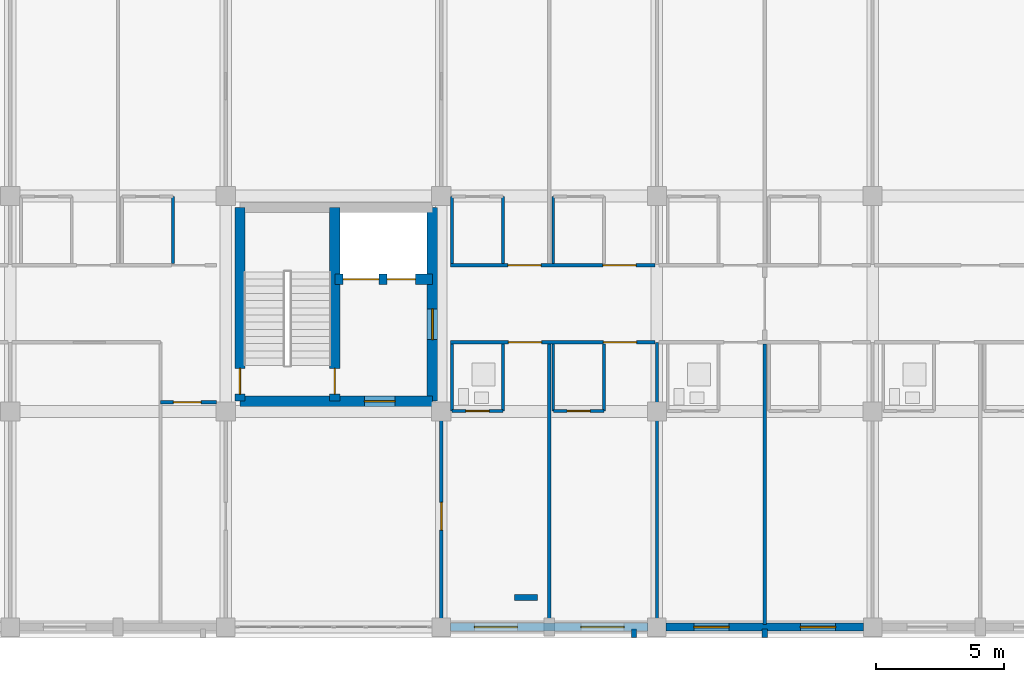
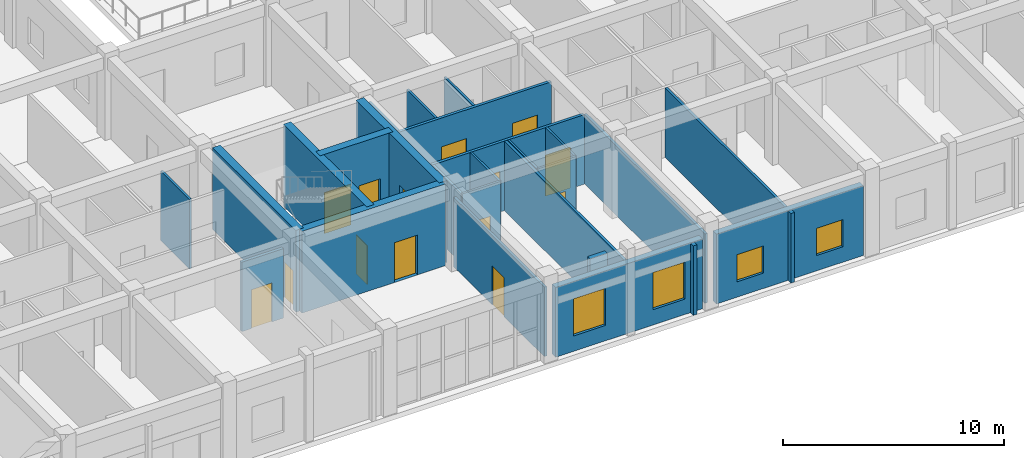
# One storey, part 116 of 158: 27 walls, 14 doors, 4 windows, 18 openings.
"""IFC4 building model written with IfcOpenShell, lengths in metres."""

from ifc_helpers import new_model, si_unit, direction, frame, frame_2d, origin, place, context, subcontext, project, spatial, rectangle, extrude, material, layer, layer_set, type_object, element, fill, save


model = new_model("IFC4")

# Units and contexts
model_context = context("Model", 3, precision=1e-05, world=origin(), true_north=direction((0.0, 1.0)))
body_context = subcontext(model_context, "Body", "Model", "MODEL_VIEW")
ifc_project = project(units=[si_unit("LENGTHUNIT", "METRE"), si_unit("AREAUNIT", "SQUARE_METRE"), si_unit("VOLUMEUNIT", "CUBIC_METRE"), si_unit("PLANEANGLEUNIT", "RADIAN"), si_unit("MASSUNIT", "GRAM", prefix="KILO")], contexts=[model_context])

# Site, building, storey
site_placement = place(None, origin())
site = spatial("IfcSite", under=ifc_project, at=site_placement, CompositionType="ELEMENT")
building_placement = place(site_placement, origin())
building = spatial("IfcBuilding", under=site, at=building_placement, Name="Trelvath General Hospital", CompositionType="ELEMENT")
storey_placement = place(building_placement, frame((0.0, 0.0, 8.10009765625)))
storey = spatial("IfcBuildingStorey", under=building, at=storey_placement, Name="L02", CompositionType="ELEMENT", Elevation=8.10009765625)

# Walls
ifc_material_1 = material(Name="Precast concrete C40/50", Category="concrete")
ifc_layer_1 = layer(ifc_material_1, 0.199951171875)
ifc_layer_set_1 = layer_set([ifc_layer_1], Name="Precast concrete C40/50")
wall_type_1 = type_object("IfcWallType", Name="BriseSoleilRib 200", PredefinedType="ELEMENTEDWALL", material=ifc_layer_set_1)
for number, where, z_axis, x_axis, name in (
    (1, (57.90673828125, -0.074951171875, 0.0), (0.0, 0.0, 1.0), (0.0, -1.0, 0.0), "Precast Concrete Brise-Soleil Rib Fin L02-187"),
    (2, (63.0, -0.074951171875, 0.0), (0.0, 0.0, 1.0), (0.0, -1.0, 0.0), "Precast Concrete Brise-Soleil Rib Fin L02-191"),
):
    element("IfcWall", number, at=place(storey_placement, frame(where, z_axis=z_axis, x_axis=x_axis)), inside=storey, type_object=wall_type_1, Name=name, PredefinedType="ELEMENTEDWALL", context=body_context, shape_type="SweptSolid", body=[
        extrude(rectangle(XDim=0.340087890625, YDim=0.199951171875, at=frame_2d((0.169921875, 0.0))), origin(), (0.0, 0.0, 1.0), 3.83984375),
    ])

# Wall, opening, door
ifc_material_2 = material(Name="Gypsum acoustic steel-stud partition", Category="steel")
ifc_layer_2 = layer(ifc_material_2, 0.14990234375)
ifc_layer_set_2 = layer_set([ifc_layer_2], Name="Gypsum acoustic steel-stud partition")
wall_type_2 = type_object("IfcWallType", Name="ClinicalPartition 150", PredefinedType="PARTITIONING", material=ifc_layer_set_2)
wall_1_placement = place(storey_placement, frame((39.4599609375, 8.760009765625, 0.0), z_axis=(0.0, 0.0, 1.0), x_axis=(1.0, 0.0, 0.0)))
wall_1 = element("IfcWall", 3, at=wall_1_placement, inside=storey, type_object=wall_type_2, Name="Clean Utility Partition L02-706", PredefinedType="PARTITIONING", context=body_context, shape_type="SweptSolid", body=[
    extrude(rectangle(XDim=2.179931640625, YDim=0.14990234375, at=frame_2d((1.08984375, 0.0))), origin(), (0.0, 0.0, 1.0), 3.83984375),
])
opening_1_placement = place(wall_1_placement, frame((0.5, 0.0, 0.0)))
opening_1 = element("IfcOpeningElement", 4, at=opening_1_placement, cuts=wall_1, Name="Opening D-2-0640", PredefinedType="OPENING", context=body_context, shape_type="SweptSolid", body=[
    extrude(rectangle(XDim=1.080078125, YDim=2.14990234375, at=frame_2d((0.5400390625, 1.074951171875))), frame((0.0, 0.0849609375, 0.0), z_axis=(0.0, -1.0, 0.0), x_axis=(1.0, 0.0, 0.0)), (0.0, 0.0, 1.0), 0.169921875),
])
ifc_material_3 = material(Name="Acoustic hospital timber leaf", Category="wood")
door_type_1 = type_object("IfcDoorType", Name="Door CleanSupply 1080x2150", OperationType="NOTDEFINED", PredefinedType="DOOR", material=ifc_material_3)
door_1_placement = place(opening_1_placement, origin())
door_1 = element("IfcDoor", 5, at=door_1_placement, inside=storey, type_object=door_type_1, Name="Clean Utility Door L02-640", OperationType="SINGLE_SWING_RIGHT", OverallHeight=2.14990234375, OverallWidth=1.080078125, PredefinedType="DOOR", context=body_context, shape_type="SweptSolid", body=[
    extrude(rectangle(XDim=1.080078125, YDim=2.14990234375, at=frame_2d((0.5400390625, 1.074951171875))), frame((0.0, 0.02490234375, 0.0), z_axis=(0.0, -1.0, 0.0), x_axis=(1.0, 0.0, 0.0)), (0.0, 0.0, 1.0), 0.050048828125),
])
fill(opening_1, door_1)

# Wall, openings, doors
wall_2_placement = place(storey_placement, frame((50.760009765625, 11.10009765625, 0.0), z_axis=(0.0, 0.0, 1.0), x_axis=(1.0, 0.0, 0.0)))
wall_2 = element("IfcWall", 6, at=wall_2_placement, inside=storey, type_object=wall_type_2, Name="Corridor Partition L02-719", PredefinedType="PARTITIONING", context=body_context, shape_type="SweptSolid", body=[
    extrude(rectangle(XDim=7.9599609375, YDim=0.14990234375, at=frame_2d((3.97998046875, 0.0))), origin(), (0.0, 0.0, 1.0), 3.83984375),
])
opening_2_placement = place(wall_2_placement, frame((2.25, 0.0, 0.0)))
opening_2 = element("IfcOpeningElement", 7, at=opening_2_placement, cuts=wall_2, Name="Opening D-2-0649", PredefinedType="OPENING", context=body_context, shape_type="SweptSolid", body=[
    extrude(rectangle(XDim=1.300048828125, YDim=2.25, at=frame_2d((0.64990234375, 1.125))), frame((0.0, 0.0849609375, 0.0), z_axis=(0.0, -1.0, 0.0), x_axis=(1.0, 0.0, 0.0)), (0.0, 0.0, 1.0), 0.169921875),
])
opening_3_placement = place(wall_2_placement, frame((5.949951171875, 0.0, 0.0)))
opening_3 = element("IfcOpeningElement", 8, at=opening_3_placement, cuts=wall_2, Name="Opening D-2-0650", PredefinedType="OPENING", context=body_context, shape_type="SweptSolid", body=[
    extrude(rectangle(XDim=1.300048828125, YDim=2.25, at=frame_2d((0.64990234375, 1.125))), frame((0.0, 0.0849609375, 0.0), z_axis=(0.0, -1.0, 0.0), x_axis=(1.0, 0.0, 0.0)), (0.0, 0.0, 1.0), 0.169921875),
])
ifc_material_4 = material(Name="Hospital bed-leaf timber door", Category="wood")
door_type_2 = type_object("IfcDoorType", Name="Door PatientBed 1300x2250", OperationType="NOTDEFINED", PredefinedType="DOOR", material=ifc_material_4)
door_2_placement = place(opening_2_placement, origin())
door_2 = element("IfcDoor", 9, at=door_2_placement, inside=storey, type_object=door_type_2, Name="Patient Room Door L02-649", OperationType="SINGLE_SWING_RIGHT", OverallHeight=2.25, OverallWidth=1.300048828125, PredefinedType="DOOR", context=body_context, shape_type="SweptSolid", body=[
    extrude(rectangle(XDim=1.300048828125, YDim=2.25, at=frame_2d((0.64990234375, 1.125))), frame((0.0, 0.02490234375, 0.0), z_axis=(0.0, -1.0, 0.0), x_axis=(1.0, 0.0, 0.0)), (0.0, 0.0, 1.0), 0.050048828125),
])
fill(opening_2, door_2)
door_3_placement = place(opening_3_placement, origin())
door_3 = element("IfcDoor", 10, at=door_3_placement, inside=storey, type_object=door_type_2, Name="Patient Room Door L02-650", OperationType="SINGLE_SWING_LEFT", OverallHeight=2.25, OverallWidth=1.300048828125, PredefinedType="DOOR", context=body_context, shape_type="SweptSolid", body=[
    extrude(rectangle(XDim=1.300048828125, YDim=2.25, at=frame_2d((0.64990234375, 1.125))), frame((0.0, 0.02490234375, 0.0), z_axis=(0.0, -1.0, 0.0), x_axis=(1.0, 0.0, 0.0)), (0.0, 0.0, 1.0), 0.050048828125),
])
fill(opening_3, door_3)

wall_3_placement = place(storey_placement, frame((58.719970703125, 14.10009765625, 0.0), z_axis=(0.0, 0.0, 1.0), x_axis=(-1.0, 0.0, 0.0)))
wall_3 = element("IfcWall", 11, at=wall_3_placement, inside=storey, type_object=wall_type_2, Name="Corridor Partition N L02-728", PredefinedType="PARTITIONING", context=body_context, shape_type="SweptSolid", body=[
    extrude(rectangle(XDim=7.9599609375, YDim=0.14990234375, at=frame_2d((3.97998046875, 0.0))), origin(), (0.0, 0.0, 1.0), 3.83984375),
])
opening_4_placement = place(wall_3_placement, frame((0.72998046875, 0.0, 0.0)))
opening_4 = element("IfcOpeningElement", 12, at=opening_4_placement, cuts=wall_3, Name="Opening D-2-0653", PredefinedType="OPENING", context=body_context, shape_type="SweptSolid", body=[
    extrude(rectangle(XDim=1.300048828125, YDim=2.25, at=frame_2d((0.64990234375, 1.125))), frame((0.0, 0.0849609375, 0.0), z_axis=(0.0, -1.0, 0.0), x_axis=(1.0, 0.0, 0.0)), (0.0, 0.0, 1.0), 0.169921875),
])
opening_5_placement = place(wall_3_placement, frame((4.429931640625, 0.0, 0.0)))
opening_5 = element("IfcOpeningElement", 13, at=opening_5_placement, cuts=wall_3, Name="Opening D-2-0654", PredefinedType="OPENING", context=body_context, shape_type="SweptSolid", body=[
    extrude(rectangle(XDim=1.300048828125, YDim=2.25, at=frame_2d((0.64990234375, 1.125))), frame((0.0, 0.0849609375, 0.0), z_axis=(0.0, -1.0, 0.0), x_axis=(1.0, 0.0, 0.0)), (0.0, 0.0, 1.0), 0.169921875),
])
door_4_placement = place(opening_4_placement, origin())
door_4 = element("IfcDoor", 14, at=door_4_placement, inside=storey, type_object=door_type_2, Name="Patient Room Door N L02-653", OperationType="SINGLE_SWING_RIGHT", OverallHeight=2.25, OverallWidth=1.300048828125, PredefinedType="DOOR", context=body_context, shape_type="SweptSolid", body=[
    extrude(rectangle(XDim=1.300048828125, YDim=2.25, at=frame_2d((0.64990234375, 1.125))), frame((0.0, 0.02490234375, 0.0), z_axis=(0.0, -1.0, 0.0), x_axis=(1.0, 0.0, 0.0)), (0.0, 0.0, 1.0), 0.050048828125),
])
fill(opening_4, door_4)
door_5_placement = place(opening_5_placement, origin())
door_5 = element("IfcDoor", 15, at=door_5_placement, inside=storey, type_object=door_type_2, Name="Patient Room Door N L02-654", OperationType="SINGLE_SWING_RIGHT", OverallHeight=2.25, OverallWidth=1.300048828125, PredefinedType="DOOR", context=body_context, shape_type="SweptSolid", body=[
    extrude(rectangle(XDim=1.300048828125, YDim=2.25, at=frame_2d((0.64990234375, 1.125))), frame((0.0, 0.02490234375, 0.0), z_axis=(0.0, -1.0, 0.0), x_axis=(1.0, 0.0, 0.0)), (0.0, 0.0, 1.0), 0.050048828125),
])
fill(opening_5, door_5)

# Wall, opening, door
ifc_material_5 = material(Name="Concrete C40/50", Category="concrete")
ifc_layer_3 = layer(ifc_material_5, 0.39990234375)
ifc_layer_set_3 = layer_set([ifc_layer_3], Name="Concrete C40/50")
wall_type_3 = type_object("IfcWallType", Name="CoreShearWall 400", PredefinedType="SHEAR", material=ifc_layer_set_3)
wall_4_placement = place(storey_placement, frame((42.550048828125, 8.800048828125, 0.0), z_axis=(0.0, 0.0, 1.0), x_axis=(1.0, 0.0, 0.0)))
wall_4 = element("IfcWall", 16, at=wall_4_placement, inside=storey, type_object=wall_type_3, Name="Core Shear Wall C4 S L02", PredefinedType="SHEAR", context=body_context, shape_type="SweptSolid", body=[
    extrude(rectangle(XDim=7.5, YDim=0.39990234375, at=frame_2d((3.75, 0.0))), origin(), (0.0, 0.0, 1.0), 4.52001953125),
])
opening_6_placement = place(wall_4_placement, frame((4.85009765625, 0.0, 0.0)))
opening_6 = element("IfcOpeningElement", 17, at=opening_6_placement, cuts=wall_4, Name="Opening FD-LS42", PredefinedType="OPENING", context=body_context, shape_type="SweptSolid", body=[
    extrude(rectangle(XDim=1.199951171875, YDim=2.199951171875, at=frame_2d((0.60009765625, 1.10009765625))), frame((0.0, 0.2099609375, 0.0), z_axis=(0.0, -1.0, 0.0), x_axis=(1.0, 0.0, 0.0)), (0.0, 0.0, 1.0), 0.419921875),
])
ifc_material_6 = material(Name="Fire-rated steel door", Category="steel")
door_type_3 = type_object("IfcDoorType", Name="Door FireLobby 1200x2200", OperationType="NOTDEFINED", PredefinedType="DOOR", material=ifc_material_6)
door_6_placement = place(opening_6_placement, origin())
door_6 = element("IfcDoor", 18, at=door_6_placement, inside=storey, type_object=door_type_3, Name="Fire Lobby South Door C4 L02", OperationType="SINGLE_SWING_LEFT", OverallHeight=2.199951171875, OverallWidth=1.199951171875, PredefinedType="DOOR", context=body_context, shape_type="SweptSolid", body=[
    extrude(rectangle(XDim=1.199951171875, YDim=2.199951171875, at=frame_2d((0.60009765625, 1.10009765625))), frame((0.0, 0.02490234375, 0.0), z_axis=(0.0, -1.0, 0.0), x_axis=(1.0, 0.0, 0.0)), (0.0, 0.0, 1.0), 0.050048828125),
])
fill(opening_6, door_6)

wall_5_placement = place(storey_placement, frame((42.550048828125, 8.800048828125, 0.0), z_axis=(0.0, 0.0, 1.0), x_axis=(0.0, 1.0, 0.0)))
wall_5 = element("IfcWall", 19, at=wall_5_placement, inside=storey, type_object=wall_type_3, Name="Core Shear Wall C4 W L02", PredefinedType="SHEAR", context=body_context, shape_type="SweptSolid", body=[
    extrude(rectangle(XDim=7.550048828125, YDim=0.39990234375, at=frame_2d((3.77490234375, 0.0))), origin(), (0.0, 0.0, 1.0), 4.52001953125),
])
opening_7_placement = place(wall_5_placement, frame((0.280029296875, 0.0, 0.0)))
opening_7 = element("IfcOpeningElement", 20, at=opening_7_placement, cuts=wall_5, Name="Opening FD-SW42", PredefinedType="OPENING", context=body_context, shape_type="SweptSolid", body=[
    extrude(rectangle(XDim=1.0, YDim=2.14990234375, at=frame_2d((0.5, 1.074951171875))), frame((0.0, 0.2099609375, 0.0), z_axis=(0.0, -1.0, 0.0), x_axis=(1.0, 0.0, 0.0)), (0.0, 0.0, 1.0), 0.419921875),
])
ifc_material_7 = material(Name="Fire-rated steel door", Category="steel")
door_type_4 = type_object("IfcDoorType", Name="Door FireStair 1100x2150", OperationType="NOTDEFINED", PredefinedType="DOOR", material=ifc_material_7)
door_7_placement = place(opening_7_placement, origin())
door_7 = element("IfcDoor", 21, at=door_7_placement, inside=storey, type_object=door_type_4, Name="West Corridor Stair Door ST4 L02", OperationType="SINGLE_SWING_RIGHT", OverallHeight=2.14990234375, OverallWidth=1.0, PredefinedType="DOOR", context=body_context, shape_type="SweptSolid", body=[
    extrude(rectangle(XDim=1.0, YDim=2.14990234375, at=frame_2d((0.5, 1.074951171875))), frame((0.0, 0.02490234375, 0.0), z_axis=(0.0, -1.0, 0.0), x_axis=(1.0, 0.0, 0.0)), (0.0, 0.0, 1.0), 0.050048828125),
])
fill(opening_7, door_7)

wall_6_placement = place(storey_placement, frame((50.050048828125, 8.800048828125, 0.0), z_axis=(0.0, 0.0, 1.0), x_axis=(0.0, 1.0, 0.0)))
wall_6 = element("IfcWall", 22, at=wall_6_placement, inside=storey, type_object=wall_type_3, Name="Core Shear Wall C4 E L02", PredefinedType="SHEAR", context=body_context, shape_type="SweptSolid", body=[
    extrude(rectangle(XDim=7.550048828125, YDim=0.39990234375, at=frame_2d((3.77490234375, 0.0))), origin(), (0.0, 0.0, 1.0), 4.52001953125),
])
opening_8_placement = place(wall_6_placement, frame((2.39990234375, 0.0, 0.0)))
opening_8 = element("IfcOpeningElement", 23, at=opening_8_placement, cuts=wall_6, Name="Opening FD-LE42", PredefinedType="OPENING", context=body_context, shape_type="SweptSolid", body=[
    extrude(rectangle(XDim=1.199951171875, YDim=2.199951171875, at=frame_2d((0.60009765625, 1.10009765625))), frame((0.0, 0.2099609375, 0.0), z_axis=(0.0, -1.0, 0.0), x_axis=(1.0, 0.0, 0.0)), (0.0, 0.0, 1.0), 0.419921875),
])
door_8_placement = place(opening_8_placement, origin())
door_8 = element("IfcDoor", 24, at=door_8_placement, inside=storey, type_object=door_type_3, Name="Fire Lobby East Corridor Door C4 L02", OperationType="SINGLE_SWING_RIGHT", OverallHeight=2.199951171875, OverallWidth=1.199951171875, PredefinedType="DOOR", context=body_context, shape_type="SweptSolid", body=[
    extrude(rectangle(XDim=1.199951171875, YDim=2.199951171875, at=frame_2d((0.60009765625, 1.10009765625))), frame((0.0, 0.02490234375, 0.0), z_axis=(0.0, -1.0, 0.0), x_axis=(1.0, 0.0, 0.0)), (0.0, 0.0, 1.0), 0.050048828125),
])
fill(opening_8, door_8)

wall_7_placement = place(storey_placement, frame((46.25, 8.800048828125, 0.0), z_axis=(0.0, 0.0, 1.0), x_axis=(0.0, 1.0, 0.0)))
wall_7 = element("IfcWall", 25, at=wall_7_placement, inside=storey, type_object=wall_type_3, Name="Core Shear Wall C4 SPINE L02", PredefinedType="SHEAR", context=body_context, shape_type="SweptSolid", body=[
    extrude(rectangle(XDim=7.550048828125, YDim=0.39990234375, at=frame_2d((3.77490234375, 0.0))), origin(), (0.0, 0.0, 1.0), 4.52001953125),
])
opening_9_placement = place(wall_7_placement, frame((0.280029296875, 0.0, 0.0)))
opening_9 = element("IfcOpeningElement", 26, at=opening_9_placement, cuts=wall_7, Name="Opening FD-S42", PredefinedType="OPENING", context=body_context, shape_type="SweptSolid", body=[
    extrude(rectangle(XDim=1.0, YDim=2.14990234375, at=frame_2d((0.5, 1.074951171875))), frame((0.0, 0.2099609375, 0.0), z_axis=(0.0, -1.0, 0.0), x_axis=(1.0, 0.0, 0.0)), (0.0, 0.0, 1.0), 0.419921875),
])
door_9_placement = place(opening_9_placement, origin())
door_9 = element("IfcDoor", 27, at=door_9_placement, inside=storey, type_object=door_type_4, Name="Exit Stair Door ST4 L02", OperationType="SINGLE_SWING_LEFT", OverallHeight=2.14990234375, OverallWidth=1.0, PredefinedType="DOOR", context=body_context, shape_type="SweptSolid", body=[
    extrude(rectangle(XDim=1.0, YDim=2.14990234375, at=frame_2d((0.5, 1.074951171875))), frame((0.0, 0.02490234375, 0.0), z_axis=(0.0, -1.0, 0.0), x_axis=(1.0, 0.0, 0.0)), (0.0, 0.0, 1.0), 0.050048828125),
])
fill(opening_9, door_9)

# Wall, openings, doors
wall_8_placement = place(storey_placement, frame((46.25, 13.550048828125, 0.0), z_axis=(0.0, 0.0, 1.0), x_axis=(1.0, 0.0, 0.0)))
wall_8 = element("IfcWall", 28, at=wall_8_placement, inside=storey, type_object=wall_type_3, Name="Core Shear Wall C4 SHAFT L02", PredefinedType="SHEAR", context=body_context, shape_type="SweptSolid", body=[
    extrude(rectangle(XDim=3.800048828125, YDim=0.39990234375, at=frame_2d((1.89990234375, 0.0))), origin(), (0.0, 0.0, 1.0), 4.52001953125),
])
opening_10_placement = place(wall_8_placement, frame((0.320068359375, 0.0, 0.0)))
opening_10 = element("IfcOpeningElement", 29, at=opening_10_placement, cuts=wall_8, Name="Opening LD-BD3-2", PredefinedType="OPENING", context=body_context, shape_type="SweptSolid", body=[
    extrude(rectangle(XDim=1.39990234375, YDim=2.25, at=frame_2d((0.699951171875, 1.125))), frame((0.0, 0.2099609375, 0.0), z_axis=(0.0, -1.0, 0.0), x_axis=(1.0, 0.0, 0.0)), (0.0, 0.0, 1.0), 0.419921875),
])
opening_11_placement = place(wall_8_placement, frame((2.0400390625, 0.0, 0.0)))
opening_11 = element("IfcOpeningElement", 30, at=opening_11_placement, cuts=wall_8, Name="Opening LD-PA1-2", PredefinedType="OPENING", context=body_context, shape_type="SweptSolid", body=[
    extrude(rectangle(XDim=1.10009765625, YDim=2.14990234375, at=frame_2d((0.550048828125, 1.074951171875))), frame((0.0, 0.2099609375, 0.0), z_axis=(0.0, -1.0, 0.0), x_axis=(1.0, 0.0, 0.0)), (0.0, 0.0, 1.0), 0.419921875),
])
ifc_material_8 = material(Name="Stainless steel stretcher lift landing door", Category="steel")
door_type_5 = type_object("IfcDoorType", Name="Door LiftBed 1400x2250", OperationType="SLIDING_TO_LEFT", PredefinedType="DOOR", material=ifc_material_8)
door_10_placement = place(opening_10_placement, origin())
door_10 = element("IfcDoor", 31, at=door_10_placement, inside=storey, type_object=door_type_5, Name="Lift Landing Sliding Door LF-BD3 L02", OperationType="SLIDING_TO_LEFT", OverallHeight=2.25, OverallWidth=1.39990234375, PredefinedType="DOOR", context=body_context, shape_type="SweptSolid", body=[
    extrude(rectangle(XDim=1.39990234375, YDim=2.25, at=frame_2d((0.699951171875, 1.125))), frame((0.0, 0.02490234375, 0.0), z_axis=(0.0, -1.0, 0.0), x_axis=(1.0, 0.0, 0.0)), (0.0, 0.0, 1.0), 0.050048828125),
])
fill(opening_10, door_10)
ifc_material_9 = material(Name="Stainless steel lift landing sliding door", Category="steel")
door_type_6 = type_object("IfcDoorType", Name="Door LiftLanding 1100x2150", OperationType="SLIDING_TO_LEFT", PredefinedType="DOOR", material=ifc_material_9)
door_11_placement = place(opening_11_placement, origin())
door_11 = element("IfcDoor", 32, at=door_11_placement, inside=storey, type_object=door_type_6, Name="Lift Landing Sliding Door LF-PA1 L02", OperationType="SLIDING_TO_LEFT", OverallHeight=2.14990234375, OverallWidth=1.10009765625, PredefinedType="DOOR", context=body_context, shape_type="SweptSolid", body=[
    extrude(rectangle(XDim=1.10009765625, YDim=2.14990234375, at=frame_2d((0.550048828125, 1.074951171875))), frame((0.0, 0.02490234375, 0.0), z_axis=(0.0, -1.0, 0.0), x_axis=(1.0, 0.0, 0.0)), (0.0, 0.0, 1.0), 0.050048828125),
])
fill(opening_11, door_11)

# Walls
ifc_material_10 = material(Name="Moisture-resistant tile partition")
ifc_layer_4 = layer(ifc_material_10, 0.110107421875)
ifc_layer_set_4 = layer_set([ifc_layer_4], Name="Moisture-resistant tile partition")
wall_type_4 = type_object("IfcWallType", Name="EnSuiteWetWall 110", PredefinedType="PARTITIONING", material=ifc_layer_set_4)
for number, where, z_axis, x_axis, name in (
    (33, (39.93994140625, 14.169921875, 0.0), (0.0, 0.0, 1.0), (0.0, 1.0, 0.0), "En-Suite E Wall N L02-713"),
    (34, (50.820068359375, 8.419921875, 0.0), (0.0, 0.0, 1.0), (0.0, 1.0, 0.0), "En-Suite W Wall L02-721"),
    (35, (52.800048828125, 8.419921875, 0.0), (0.0, 0.0, 1.0), (0.0, 1.0, 0.0), "En-Suite E Wall L02-722"),
):
    element("IfcWall", number, at=place(storey_placement, frame(where, z_axis=z_axis, x_axis=x_axis)), inside=storey, type_object=wall_type_4, Name=name, PredefinedType="PARTITIONING", context=body_context, shape_type="SweptSolid", body=[
        extrude(rectangle(XDim=2.610107421875, YDim=0.110107421875, at=frame_2d((1.30517578125, 0.0))), origin(), (0.0, 0.0, 1.0), 3.83984375),
    ])

# Wall, opening, door
wall_9_placement = place(storey_placement, frame((50.820068359375, 8.419921875, 0.0), z_axis=(0.0, 0.0, 1.0), x_axis=(1.0, 0.0, 0.0)))
wall_9 = element("IfcWall", 36, at=wall_9_placement, inside=storey, type_object=wall_type_4, Name="En-Suite Bathroom Partition L02-723", PredefinedType="PARTITIONING", context=body_context, shape_type="SweptSolid", body=[
    extrude(rectangle(XDim=1.97998046875, YDim=0.110107421875, at=frame_2d((0.989990234375, 0.0))), origin(), (0.0, 0.0, 1.0), 3.83984375),
])
opening_12_placement = place(wall_9_placement, frame((0.5400390625, 0.0, 0.0)))
opening_12 = element("IfcOpeningElement", 37, at=opening_12_placement, cuts=wall_9, Name="Opening D-2-0651", PredefinedType="OPENING", context=body_context, shape_type="SweptSolid", body=[
    extrude(rectangle(XDim=0.89990234375, YDim=2.10009765625, at=frame_2d((0.449951171875, 1.050048828125))), frame((0.0, 0.06494140625, 0.0), z_axis=(0.0, -1.0, 0.0), x_axis=(1.0, 0.0, 0.0)), (0.0, 0.0, 1.0), 0.130126953125),
])
ifc_material_11 = material(Name="Moisture-sealed timber leaf", Category="wood")
door_type_7 = type_object("IfcDoorType", Name="Door EnSuite 900x2100", OperationType="NOTDEFINED", PredefinedType="DOOR", material=ifc_material_11)
door_12_placement = place(opening_12_placement, origin())
door_12 = element("IfcDoor", 38, at=door_12_placement, inside=storey, type_object=door_type_7, Name="En-Suite Bathroom Door L02-651", OperationType="SINGLE_SWING_RIGHT", OverallHeight=2.10009765625, OverallWidth=0.89990234375, PredefinedType="DOOR", context=body_context, shape_type="SweptSolid", body=[
    extrude(rectangle(XDim=0.89990234375, YDim=2.10009765625, at=frame_2d((0.449951171875, 1.050048828125))), frame((0.0, 0.02490234375, 0.0), z_axis=(0.0, -1.0, 0.0), x_axis=(1.0, 0.0, 0.0)), (0.0, 0.0, 1.0), 0.050048828125),
])
fill(opening_12, door_12)

# Walls
for number, where, z_axis, x_axis, name in (
    (39, (54.760009765625, 8.419921875, 0.0), (0.0, 0.0, 1.0), (0.0, 1.0, 0.0), "En-Suite W Wall L02-724"),
    (40, (56.739990234375, 8.419921875, 0.0), (0.0, 0.0, 1.0), (0.0, 1.0, 0.0), "En-Suite E Wall L02-725"),
):
    element("IfcWall", number, at=place(storey_placement, frame(where, z_axis=z_axis, x_axis=x_axis)), inside=storey, type_object=wall_type_4, Name=name, PredefinedType="PARTITIONING", context=body_context, shape_type="SweptSolid", body=[
        extrude(rectangle(XDim=2.610107421875, YDim=0.110107421875, at=frame_2d((1.30517578125, 0.0))), origin(), (0.0, 0.0, 1.0), 3.83984375),
    ])

# Wall, opening, door
wall_10_placement = place(storey_placement, frame((54.760009765625, 8.419921875, 0.0), z_axis=(0.0, 0.0, 1.0), x_axis=(1.0, 0.0, 0.0)))
wall_10 = element("IfcWall", 41, at=wall_10_placement, inside=storey, type_object=wall_type_4, Name="En-Suite Bathroom Partition L02-726", PredefinedType="PARTITIONING", context=body_context, shape_type="SweptSolid", body=[
    extrude(rectangle(XDim=1.97998046875, YDim=0.110107421875, at=frame_2d((0.989990234375, 0.0))), origin(), (0.0, 0.0, 1.0), 3.83984375),
])
opening_13_placement = place(wall_10_placement, frame((0.5400390625, 0.0, 0.0)))
opening_13 = element("IfcOpeningElement", 42, at=opening_13_placement, cuts=wall_10, Name="Opening D-2-0652", PredefinedType="OPENING", context=body_context, shape_type="SweptSolid", body=[
    extrude(rectangle(XDim=0.89990234375, YDim=2.10009765625, at=frame_2d((0.449951171875, 1.050048828125))), frame((0.0, 0.06494140625, 0.0), z_axis=(0.0, -1.0, 0.0), x_axis=(1.0, 0.0, 0.0)), (0.0, 0.0, 1.0), 0.130126953125),
])
door_13_placement = place(opening_13_placement, origin())
door_13 = element("IfcDoor", 43, at=door_13_placement, inside=storey, type_object=door_type_7, Name="En-Suite Bathroom Door L02-652", OperationType="SINGLE_SWING_LEFT", OverallHeight=2.10009765625, OverallWidth=0.89990234375, PredefinedType="DOOR", context=body_context, shape_type="SweptSolid", body=[
    extrude(rectangle(XDim=0.89990234375, YDim=2.10009765625, at=frame_2d((0.449951171875, 1.050048828125))), frame((0.0, 0.02490234375, 0.0), z_axis=(0.0, -1.0, 0.0), x_axis=(1.0, 0.0, 0.0)), (0.0, 0.0, 1.0), 0.050048828125),
])
fill(opening_13, door_13)

# Walls
for number, where, z_axis, x_axis, name in (
    (44, (50.820068359375, 14.169921875, 0.0), (0.0, 0.0, 1.0), (0.0, 1.0, 0.0), "En-Suite W Wall N L02-730"),
    (45, (52.800048828125, 14.169921875, 0.0), (0.0, 0.0, 1.0), (0.0, 1.0, 0.0), "En-Suite E Wall N L02-731"),
    (46, (54.760009765625, 14.169921875, 0.0), (0.0, 0.0, 1.0), (0.0, 1.0, 0.0), "En-Suite W Wall N L02-733"),
):
    element("IfcWall", number, at=place(storey_placement, frame(where, z_axis=z_axis, x_axis=x_axis)), inside=storey, type_object=wall_type_4, Name=name, PredefinedType="PARTITIONING", context=body_context, shape_type="SweptSolid", body=[
        extrude(rectangle(XDim=2.610107421875, YDim=0.110107421875, at=frame_2d((1.30517578125, 0.0))), origin(), (0.0, 0.0, 1.0), 3.83984375),
    ])

# Wall, openings, windows
ifc_material_12 = material(Name="Concrete C35/45", Category="concrete")
ifc_layer_5 = layer(ifc_material_12, 0.320068359375)
ifc_layer_set_5 = layer_set([ifc_layer_5], Name="Concrete C35/45")
wall_type_5 = type_object("IfcWallType", Name="ExtThermalWall 320", PredefinedType="SOLIDWALL", material=ifc_layer_set_5)
wall_11_placement = place(storey_placement, frame((58.445068359375, 0.0, 0.0), z_axis=(0.0, 0.0, 1.0), x_axis=(-1.0, 0.0, 0.0)))
wall_11 = element("IfcWall", 47, at=wall_11_placement, inside=storey, type_object=wall_type_5, Name="Exterior Concrete Wall L02-254", PredefinedType="SOLIDWALL", context=body_context, shape_type="SweptSolid", body=[
    extrude(rectangle(XDim=7.690185546875, YDim=0.320068359375, at=frame_2d((3.84521484375, 0.0))), origin(), (0.0, 0.0, 1.0), 3.85986328125),
])
opening_14_placement = place(wall_11_placement, frame((0.9287109375, 0.0, 0.85009765625)))
opening_14 = element("IfcOpeningElement", 48, at=opening_14_placement, cuts=wall_11, Name="Opening WN-2-405", PredefinedType="OPENING", context=body_context, shape_type="SweptSolid", body=[
    extrude(rectangle(XDim=1.679931640625, YDim=2.050048828125, at=frame_2d((0.83984375, 1.02490234375))), frame((0.0, 0.169921875, 0.0), z_axis=(0.0, -1.0, 0.0), x_axis=(1.0, 0.0, 0.0)), (0.0, 0.0, 1.0), 0.340087890625),
])
opening_15_placement = place(wall_11_placement, frame((5.081298828125, 0.0, 0.85009765625)))
opening_15 = element("IfcOpeningElement", 49, at=opening_15_placement, cuts=wall_11, Name="Opening WN-2-406", PredefinedType="OPENING", context=body_context, shape_type="SweptSolid", body=[
    extrude(rectangle(XDim=1.679931640625, YDim=2.050048828125, at=frame_2d((0.83984375, 1.02490234375))), frame((0.0, 0.169921875, 0.0), z_axis=(0.0, -1.0, 0.0), x_axis=(1.0, 0.0, 0.0)), (0.0, 0.0, 1.0), 0.340087890625),
])
ifc_material_13 = material(Name="Low-E laminated glass", Category="glass")
window_type_1 = type_object("IfcWindowType", Name="Window Cafe 1680x2050", PartitioningType="DOUBLE_PANEL_VERTICAL", PredefinedType="WINDOW", material=ifc_material_13)
window_1_placement = place(opening_14_placement, origin())
window_1 = element("IfcWindow", 50, at=window_1_placement, inside=storey, type_object=window_type_1, Name="Solar Reveal Window L02-405", OverallHeight=2.050048828125, OverallWidth=1.679931640625, PartitioningType="SINGLE_PANEL", PredefinedType="WINDOW", context=body_context, shape_type="SweptSolid", body=[
    extrude(rectangle(XDim=1.679931640625, YDim=2.050048828125, at=frame_2d((0.83984375, 1.02490234375))), frame((0.0, 0.030029296875, 0.0), z_axis=(0.0, -1.0, 0.0), x_axis=(1.0, 0.0, 0.0)), (0.0, 0.0, 1.0), 0.06005859375),
])
fill(opening_14, window_1)
window_2_placement = place(opening_15_placement, origin())
window_2 = element("IfcWindow", 51, at=window_2_placement, inside=storey, type_object=window_type_1, Name="Solar Reveal Window L02-406", OverallHeight=2.050048828125, OverallWidth=1.679931640625, PartitioningType="SINGLE_PANEL", PredefinedType="WINDOW", context=body_context, shape_type="SweptSolid", body=[
    extrude(rectangle(XDim=1.679931640625, YDim=2.050048828125, at=frame_2d((0.83984375, 1.02490234375))), frame((0.0, 0.030029296875, 0.0), z_axis=(0.0, -1.0, 0.0), x_axis=(1.0, 0.0, 0.0)), (0.0, 0.0, 1.0), 0.06005859375),
])
fill(opening_15, window_2)

wall_12_placement = place(storey_placement, frame((66.844970703125, 0.0, 0.0), z_axis=(0.0, 0.0, 1.0), x_axis=(-1.0, 0.0, 0.0)))
wall_12 = element("IfcWall", 52, at=wall_12_placement, inside=storey, type_object=wall_type_5, Name="Exterior Concrete Wall L02-258", PredefinedType="SOLIDWALL", context=body_context, shape_type="SweptSolid", body=[
    extrude(rectangle(XDim=7.68994140625, YDim=0.320068359375, at=frame_2d((3.844970703125, 0.0))), origin(), (0.0, 0.0, 1.0), 3.85986328125),
])
opening_16_placement = place(wall_12_placement, frame((1.07861328125, 0.0, 0.85009765625)))
opening_16 = element("IfcOpeningElement", 53, at=opening_16_placement, cuts=wall_12, Name="Opening WN-2-413", PredefinedType="OPENING", context=body_context, shape_type="SweptSolid", body=[
    extrude(rectangle(XDim=1.3798828125, YDim=1.5, at=frame_2d((0.68994140625, 0.75))), frame((0.0, 0.169921875, 0.0), z_axis=(0.0, -1.0, 0.0), x_axis=(1.0, 0.0, 0.0)), (0.0, 0.0, 1.0), 0.340087890625),
])
opening_17_placement = place(wall_12_placement, frame((5.231201171875, 0.0, 0.85009765625)))
opening_17 = element("IfcOpeningElement", 54, at=opening_17_placement, cuts=wall_12, Name="Opening WN-2-414", PredefinedType="OPENING", context=body_context, shape_type="SweptSolid", body=[
    extrude(rectangle(XDim=1.3798828125, YDim=1.5, at=frame_2d((0.68994140625, 0.75))), frame((0.0, 0.169921875, 0.0), z_axis=(0.0, -1.0, 0.0), x_axis=(1.0, 0.0, 0.0)), (0.0, 0.0, 1.0), 0.340087890625),
])
ifc_material_14 = material(Name="Low-E laminated glass", Category="glass")
window_type_2 = type_object("IfcWindowType", Name="Window Admin 1380x1500", PartitioningType="SINGLE_PANEL", PredefinedType="WINDOW", material=ifc_material_14)
window_3_placement = place(opening_16_placement, origin())
window_3 = element("IfcWindow", 55, at=window_3_placement, inside=storey, type_object=window_type_2, Name="Solar Reveal Window L02-413", OverallHeight=1.5, OverallWidth=1.3798828125, PartitioningType="SINGLE_PANEL", PredefinedType="WINDOW", context=body_context, shape_type="SweptSolid", body=[
    extrude(rectangle(XDim=1.3798828125, YDim=1.5, at=frame_2d((0.68994140625, 0.75))), frame((0.0, 0.030029296875, 0.0), z_axis=(0.0, -1.0, 0.0), x_axis=(1.0, 0.0, 0.0)), (0.0, 0.0, 1.0), 0.06005859375),
])
fill(opening_16, window_3)
window_4_placement = place(opening_17_placement, origin())
window_4 = element("IfcWindow", 56, at=window_4_placement, inside=storey, type_object=window_type_2, Name="Solar Reveal Window L02-414", OverallHeight=1.5, OverallWidth=1.3798828125, PartitioningType="SINGLE_PANEL", PredefinedType="WINDOW", context=body_context, shape_type="SweptSolid", body=[
    extrude(rectangle(XDim=1.3798828125, YDim=1.5, at=frame_2d((0.68994140625, 0.75))), frame((0.0, 0.030029296875, 0.0), z_axis=(0.0, -1.0, 0.0), x_axis=(1.0, 0.0, 0.0)), (0.0, 0.0, 1.0), 0.06005859375),
])
fill(opening_17, window_4)

# Wall
ifc_material_15 = material(Name="Masonry service chase blockwork", Category="masonry")
ifc_layer_6 = layer(ifc_material_15, 0.239990234375)
ifc_layer_set_6 = layer_set([ifc_layer_6], Name="Masonry service chase blockwork")
wall_type_6 = type_object("IfcWallType", Name="PlumbingChaseWall 240", PredefinedType="PLUMBINGWALL", material=ifc_layer_set_6)
wall_13_placement = place(storey_placement, frame((53.25, 1.14990234375, 0.0), z_axis=(0.0, 0.0, 1.0), x_axis=(1.0, 0.0, 0.0)))
element("IfcWall", 57, at=wall_13_placement, inside=storey, type_object=wall_type_6, Name="Medical Gas Plumbing Chase L02-727", PredefinedType="PLUMBINGWALL", context=body_context, shape_type="SweptSolid", body=[
    extrude(rectangle(XDim=0.89990234375, YDim=0.239990234375, at=frame_2d((0.449951171875, 0.0))), origin(), (0.0, 0.0, 1.0), 3.83984375),
])

# Wall, opening, door
ifc_material_16 = material(Name="Gypsum acoustic steel-stud partition", Category="steel")
ifc_layer_7 = layer(ifc_material_16, 0.1298828125)
ifc_layer_set_7 = layer_set([ifc_layer_7], Name="Gypsum acoustic steel-stud partition")
wall_type_7 = type_object("IfcWallType", Name="WardPartition 130", PredefinedType="PARTITIONING", material=ifc_layer_set_7)
wall_14_placement = place(storey_placement, frame((50.39990234375, 0.139892578125, 0.0), z_axis=(0.0, 0.0, 1.0), x_axis=(0.0, 1.0, 0.0)))
wall_14 = element("IfcWall", 58, at=wall_14_placement, inside=storey, type_object=wall_type_7, Name="Inter-Bay Ward Partition S L02-717", PredefinedType="PARTITIONING", context=body_context, shape_type="SweptSolid", body=[
    extrude(rectangle(XDim=8.210205078125, YDim=0.1298828125, at=frame_2d((4.10498046875, 0.0))), origin(), (0.0, 0.0, 1.0), 3.83984375),
])
opening_18_placement = place(wall_14_placement, frame((3.639892578125, 0.0, 0.0)))
opening_18 = element("IfcOpeningElement", 59, at=opening_18_placement, cuts=wall_14, Name="Opening D-2-0647", PredefinedType="OPENING", context=body_context, shape_type="SweptSolid", body=[
    extrude(rectangle(XDim=1.080078125, YDim=2.14990234375, at=frame_2d((0.5400390625, 1.074951171875))), frame((0.0, 0.074951171875, 0.0), z_axis=(0.0, -1.0, 0.0), x_axis=(1.0, 0.0, 0.0)), (0.0, 0.0, 1.0), 0.14990234375),
])
door_14_placement = place(opening_18_placement, origin())
door_14 = element("IfcDoor", 60, at=door_14_placement, inside=storey, type_object=door_type_1, Name="Clean Supply Connecting Door L02-647", OperationType="SINGLE_SWING_RIGHT", OverallHeight=2.14990234375, OverallWidth=1.080078125, PredefinedType="DOOR", context=body_context, shape_type="SweptSolid", body=[
    extrude(rectangle(XDim=1.080078125, YDim=2.14990234375, at=frame_2d((0.5400390625, 1.074951171875))), frame((0.0, 0.02490234375, 0.0), z_axis=(0.0, -1.0, 0.0), x_axis=(1.0, 0.0, 0.0)), (0.0, 0.0, 1.0), 0.050048828125),
])
fill(opening_18, door_14)

# Walls
wall_15_placement = place(storey_placement, frame((54.60009765625, 0.10009765625, 0.0), z_axis=(0.0, 0.0, 1.0), x_axis=(0.0, 1.0, 0.0)))
element("IfcWall", 61, at=wall_15_placement, inside=storey, type_object=wall_type_7, Name="Room Dividing Partition S L02-720", PredefinedType="PARTITIONING", context=body_context, shape_type="SweptSolid", body=[
    extrude(rectangle(XDim=10.929931640625, YDim=0.1298828125, at=frame_2d((5.46484375, 0.0))), origin(), (0.0, 0.0, 1.0), 3.83984375),
])
wall_16_placement = place(storey_placement, frame((58.800048828125, 0.139892578125, 0.0), z_axis=(0.0, 0.0, 1.0), x_axis=(0.0, 1.0, 0.0)))
element("IfcWall", 62, at=wall_16_placement, inside=storey, type_object=wall_type_7, Name="Inter-Bay Ward Partition S L02-736", PredefinedType="PARTITIONING", context=body_context, shape_type="SweptSolid", body=[
    extrude(rectangle(XDim=10.940185546875, YDim=0.1298828125, at=frame_2d((5.47021484375, 0.0))), origin(), (0.0, 0.0, 1.0), 3.83984375),
])
wall_17_placement = place(storey_placement, frame((63.0, 0.10009765625, 0.0), z_axis=(0.0, 0.0, 1.0), x_axis=(0.0, 1.0, 0.0)))
element("IfcWall", 63, at=wall_17_placement, inside=storey, type_object=wall_type_7, Name="Room Dividing Partition S L02-739", PredefinedType="PARTITIONING", context=body_context, shape_type="SweptSolid", body=[
    extrude(rectangle(XDim=10.929931640625, YDim=0.1298828125, at=frame_2d((5.46484375, 0.0))), origin(), (0.0, 0.0, 1.0), 3.83984375),
])

save(model, "model.ifc")
